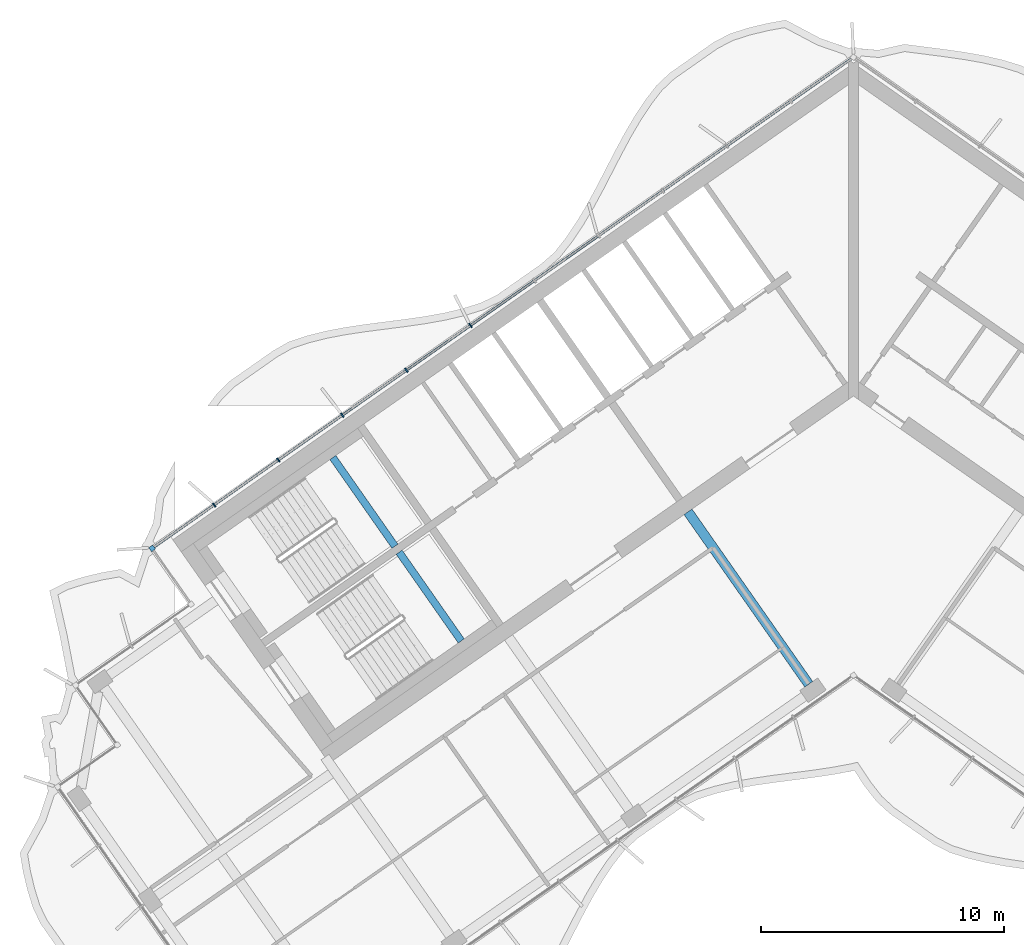
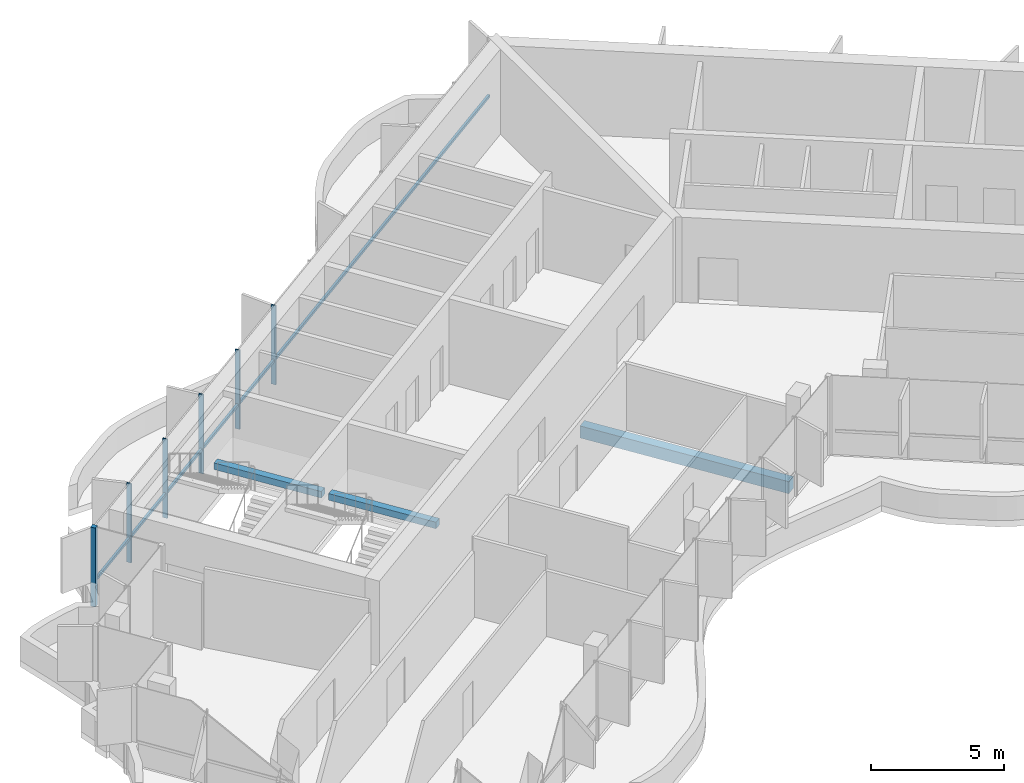
# One storey, part 3 of 20: 7 members, 3 beams, 1 element without a shape of its own.
"""IFC4 building model written with IfcOpenShell, lengths in metres."""

from ifc_helpers import new_model, si_unit, direction, frame, origin, origin_2d, place, context, subcontext, project, spatial, rectangle, extrude, material, material_profile, profile_set, type_object, element, aggregate, save


model = new_model("IFC4")

# Units and contexts
model_context = context("Model", 3, precision=1e-05, world=origin(), true_north=direction((0.0, 1.0)))
body_context = subcontext(model_context, "Body", "Model", "MODEL_VIEW")
ifc_project = project(units=[si_unit("LENGTHUNIT", "METRE"), si_unit("AREAUNIT", "SQUARE_METRE"), si_unit("VOLUMEUNIT", "CUBIC_METRE"), si_unit("PLANEANGLEUNIT", "RADIAN"), si_unit("MASSUNIT", "GRAM", prefix="KILO")], contexts=[model_context])

# Site, building, storey
site_placement = place(None, origin())
site = spatial("IfcSite", under=ifc_project, at=site_placement, CompositionType="ELEMENT")
building_placement = place(site_placement, origin())
building = spatial("IfcBuilding", under=site, at=building_placement, Name="Tel Ilan Convention Tower", CompositionType="ELEMENT")
storey_placement = place(building_placement, frame((0.0, 0.0, 248.800048828125)))
storey = spatial("IfcBuildingStorey", under=building, at=storey_placement, Name="L58", CompositionType="ELEMENT", Elevation=248.800048828125)

# Beam
ifc_material_1 = material(Name="Concrete C40/50", Category="concrete")
ifc_material_profile_1 = material_profile(ifc_material_1, rectangle(XDim=0.39990234375, YDim=0.550048828125, at=origin_2d()), Name="RC 400x550")
ifc_profile_set_1 = profile_set([ifc_material_profile_1], Name="Concrete C40/50")
beam_type_1 = type_object("IfcBeamType", Name="Beam RC 400x550 Concrete C40/50", PredefinedType="BEAM", material=ifc_profile_set_1)
beam_1_placement = place(storey_placement, frame((-1.83740234375, -13.06689453125, -0.554931640625), z_axis=(-0.573574099654, 0.819153680457, 0.0), x_axis=(-0.819153680457, -0.573574099654, 0.0)))
element("IfcBeam", 1, at=beam_1_placement, inside=storey, type_object=beam_type_1, Name="L58 beam W-W-F1-core", PredefinedType="BEAM", context=body_context, shape_type="SweptSolid", body=[
    extrude(rectangle(XDim=0.39990234375, YDim=0.550048828125, at=origin_2d()), origin(), (0.0, 0.0, 1.0), 8.64990234375),
])

# Curtain wall, members
ifc_material_2 = material(Name="Aluminium, bronze anodised", Category="aluminium")
curtain_wall_type = type_object("IfcCurtainWallType", Name="CW2 STICK CURTAIN WALL, SPANDREL PANELS", PredefinedType="NOTDEFINED", material=ifc_material_2)
curtain_wall_placement = place(storey_placement, origin())
curtain_wall = element("IfcCurtainWall", 2, at=curtain_wall_placement, inside=storey, type_object=curtain_wall_type, Name="Curtain wall CW2-45.02", PredefinedType="NOTDEFINED")
ifc_material_3 = material(Name="Aluminium, bronze anodised", Category="aluminium")
ifc_material_profile_2 = material_profile(ifc_material_3, rectangle(XDim=0.199951171875, YDim=0.199951171875, at=origin_2d()), Name="CW CORNER MULLION 200x200")
ifc_profile_set_2 = profile_set([ifc_material_profile_2], Name="Aluminium, bronze anodised")
member_type_1 = type_object("IfcMemberType", Name="CW CORNER MULLION 200x200", PredefinedType="MULLION", material=ifc_profile_set_2)
member_1_placement = place(storey_placement, frame((-28.819580078125, -7.483642578125, 0.0), z_axis=(0.0, 0.0, 1.0), x_axis=(-0.819152044289, -0.573576436351, 0.0)))
member_1 = element("IfcMember", 3, at=member_1_placement, type_object=member_type_1, Name="Corner mullion", PredefinedType="MULLION", context=body_context, shape_type="SweptSolid", body=[
    extrude(rectangle(XDim=0.199951171875, YDim=0.199951171875, at=origin_2d()), origin(), (0.0, 0.0, 1.0), 3.619873046875),
])
ifc_material_4 = material(Name="Aluminium, bronze anodised", Category="aluminium")
ifc_material_profile_3 = material_profile(ifc_material_4, rectangle(XDim=0.06005859375, YDim=0.199951171875, at=origin_2d()), Name="CW MULLION 60x200")
ifc_profile_set_3 = profile_set([ifc_material_profile_3], Name="Aluminium, bronze anodised")
member_type_2 = type_object("IfcMemberType", Name="CW MULLION 60x200", PredefinedType="MULLION", material=ifc_profile_set_3)
member_2_placement = place(storey_placement, frame((-15.73828125, 1.676025390625, 0.0), z_axis=(0.0, 0.0, 1.0), x_axis=(-0.819152044289, -0.573576436351, 0.0)))
member_2 = element("IfcMember", 4, at=member_2_placement, type_object=member_type_2, Name="Mullion", PredefinedType="MULLION", context=body_context, shape_type="SweptSolid", body=[
    extrude(rectangle(XDim=0.06005859375, YDim=0.199951171875, at=origin_2d()), origin(), (0.0, 0.0, 1.0), 3.619873046875),
])
member_3_placement = place(storey_placement, frame((-18.37109375, -0.16748046875, 0.0), z_axis=(0.0, 0.0, 1.0), x_axis=(-0.819152044289, -0.573576436351, 0.0)))
member_3 = element("IfcMember", 5, at=member_3_placement, type_object=member_type_2, Name="Mullion", PredefinedType="MULLION", context=body_context, shape_type="SweptSolid", body=[
    extrude(rectangle(XDim=0.06005859375, YDim=0.199951171875, at=origin_2d()), origin(), (0.0, 0.0, 1.0), 3.619873046875),
])
member_4_placement = place(storey_placement, frame((-21.003662109375, -2.0107421875, 0.0), z_axis=(0.0, 0.0, 1.0), x_axis=(-0.819152044289, -0.573576436351, 0.0)))
member_4 = element("IfcMember", 6, at=member_4_placement, type_object=member_type_2, Name="Mullion", PredefinedType="MULLION", context=body_context, shape_type="SweptSolid", body=[
    extrude(rectangle(XDim=0.06005859375, YDim=0.199951171875, at=origin_2d()), origin(), (0.0, 0.0, 1.0), 3.619873046875),
])
member_5_placement = place(storey_placement, frame((-23.63623046875, -3.854248046875, 0.0), z_axis=(0.0, 0.0, 1.0), x_axis=(-0.819152044289, -0.573576436351, 0.0)))
member_5 = element("IfcMember", 7, at=member_5_placement, type_object=member_type_2, Name="Mullion", PredefinedType="MULLION", context=body_context, shape_type="SweptSolid", body=[
    extrude(rectangle(XDim=0.06005859375, YDim=0.199951171875, at=origin_2d()), origin(), (0.0, 0.0, 1.0), 3.619873046875),
])
member_6_placement = place(storey_placement, frame((-26.268798828125, -5.697509765625, 0.0), z_axis=(0.0, 0.0, 1.0), x_axis=(-0.819152044289, -0.573576436351, 0.0)))
member_6 = element("IfcMember", 8, at=member_6_placement, type_object=member_type_2, Name="Mullion", PredefinedType="MULLION", context=body_context, shape_type="SweptSolid", body=[
    extrude(rectangle(XDim=0.06005859375, YDim=0.199951171875, at=origin_2d()), origin(), (0.0, 0.0, 1.0), 3.619873046875),
])
ifc_material_5 = material(Name="Aluminium, bronze anodised", Category="aluminium")
ifc_material_profile_4 = material_profile(ifc_material_5, rectangle(XDim=0.10009765625, YDim=0.1201171875, at=origin_2d()), Name="CW TRANSOM 100x120")
ifc_profile_set_4 = profile_set([ifc_material_profile_4], Name="Aluminium, bronze anodised")
member_type_3 = type_object("IfcMemberType", Name="CW TRANSOM 100x120", PredefinedType="USERDEFINED", material=ifc_profile_set_4)
member_7_placement = place(storey_placement, frame((-0.1064453125, 12.62158203125, 1.099853515625), z_axis=(-0.819150201937, -0.573579067494, 0.0), x_axis=(0.573579067494, -0.819150201937, 0.0)))
member_7 = element("IfcMember", 9, at=member_7_placement, type_object=member_type_3, Name="Transom", ObjectType="TRANSOM", PredefinedType="USERDEFINED", context=body_context, shape_type="SweptSolid", body=[
    extrude(rectangle(XDim=0.10009765625, YDim=0.1201171875, at=origin_2d()), origin(), (0.0, 0.0, 1.0), 34.9521484375),
])
aggregate(curtain_wall, [member_2, member_3, member_4, member_5, member_6, member_1, member_7])

# Beams
ifc_material_6 = material(Name="Concrete C40/50", Category="concrete")
ifc_material_profile_5 = material_profile(ifc_material_6, rectangle(XDim=0.300048828125, YDim=0.300048828125, at=origin_2d()), Name="RC 300x300")
ifc_profile_set_5 = profile_set([ifc_material_profile_5], Name="Concrete C40/50")
beam_type_2 = type_object("IfcBeamType", Name="Landing Beam RC 300x300 Concrete C40/50", PredefinedType="BEAM", material=ifc_profile_set_5)
beam_2_placement = place(storey_placement, frame((-18.841796875, -7.394287109375, 1.599853515625), z_axis=(-0.573547030514, 0.819172633691, 0.0), x_axis=(-0.819172633691, -0.573547030514, 0.0)))
element("IfcBeam", 10, at=beam_2_placement, inside=storey, type_object=beam_type_2, Name="S1 landing beam L58.1", PredefinedType="BEAM", context=body_context, shape_type="SweptSolid", body=[
    extrude(rectangle(XDim=0.300048828125, YDim=0.300048828125, at=origin_2d()), origin(), (0.0, 0.0, 1.0), 4.449951171875),
])
beam_3_placement = place(storey_placement, frame((-16.1171875, -11.285400390625, 1.599853515625), z_axis=(-0.573583844845, 0.819146856756, 0.0), x_axis=(-0.819146856756, -0.573583844845, 0.0)))
element("IfcBeam", 11, at=beam_3_placement, inside=storey, type_object=beam_type_2, Name="S2 landing beam L58.1", PredefinedType="BEAM", context=body_context, shape_type="SweptSolid", body=[
    extrude(rectangle(XDim=0.300048828125, YDim=0.300048828125, at=origin_2d()), origin(), (0.0, 0.0, 1.0), 4.4501953125),
])

save(model, "model.ifc")
